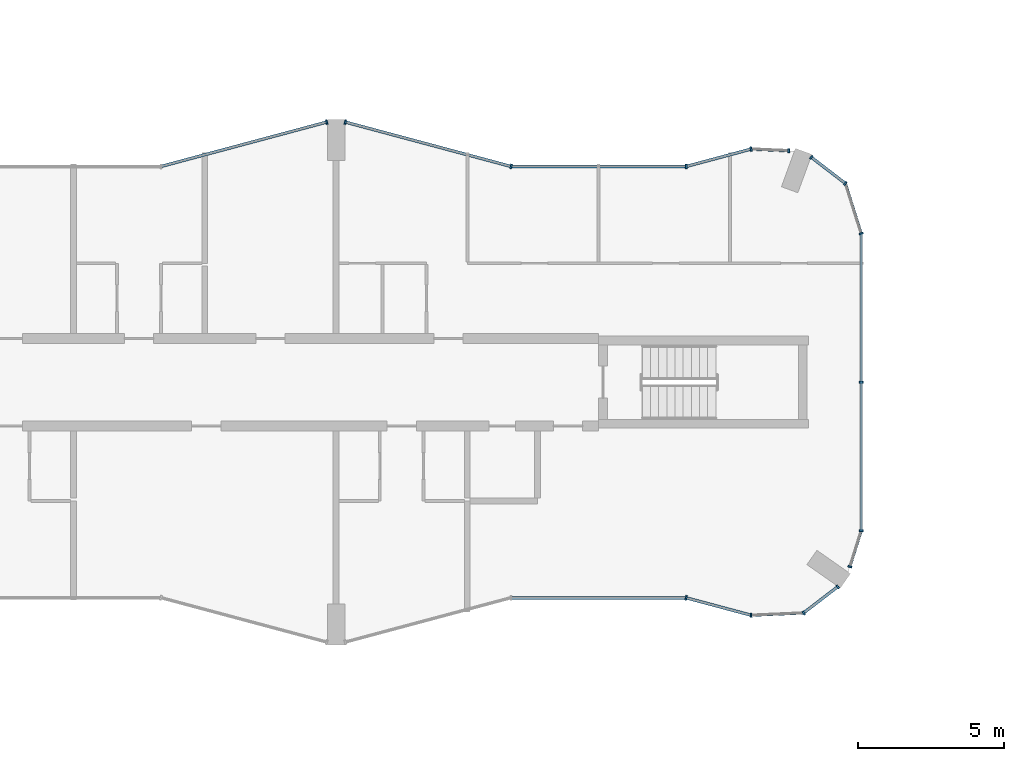
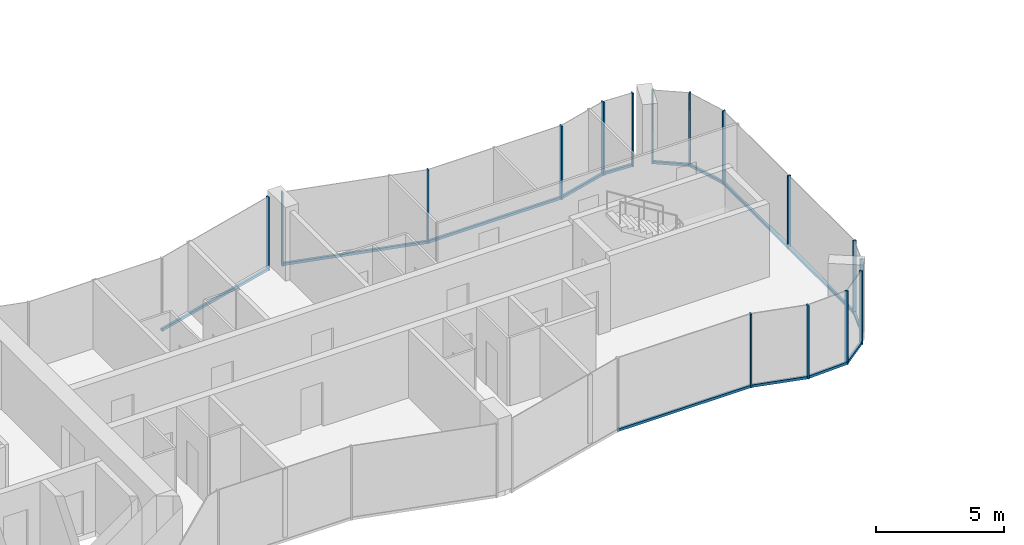
# One storey, part 5 of 22: 29 members, 13 elements without a shape of their own.
"""IFC4 building model written with IfcOpenShell, lengths in metres."""

from ifc_helpers import new_model, si_unit, direction, frame, origin, origin_2d, place, context, subcontext, project, spatial, rectangle, extrude, material, layer, layer_set, material_profile, profile_set, type_object, element, aggregate, save


model = new_model("IFC4")

# Units and contexts
model_context = context("Model", 3, precision=1e-05, world=origin(), true_north=direction((0.0, 1.0)))
body_context = subcontext(model_context, "Body", "Model", "MODEL_VIEW")
ifc_project = project(units=[si_unit("LENGTHUNIT", "METRE"), si_unit("AREAUNIT", "SQUARE_METRE"), si_unit("VOLUMEUNIT", "CUBIC_METRE"), si_unit("PLANEANGLEUNIT", "RADIAN"), si_unit("MASSUNIT", "GRAM", prefix="KILO")], contexts=[model_context])

# Site, building, storey
site_placement = place(None, origin())
site = spatial("IfcSite", under=ifc_project, at=site_placement, CompositionType="ELEMENT")
building_placement = place(site_placement, origin())
building = spatial("IfcBuilding", under=site, at=building_placement, Name="Plateau Cross Towers", CompositionType="ELEMENT")
storey_placement = place(building_placement, frame((0.0, 0.0, 58.300048828125)))
storey = spatial("IfcBuildingStorey", under=building, at=storey_placement, Name="L14", CompositionType="ELEMENT", Elevation=58.300048828125)

# Curtain wall, member
ifc_material_1 = material(Name="Dark low-iron glass", Category="glass")
ifc_layer_1 = layer(ifc_material_1, 0.239990234375)
ifc_layer_set_1 = layer_set([ifc_layer_1], Name="Dark low-iron glass")
curtain_wall_type_1 = type_object("IfcCurtainWallType", Name="Curtain wall flush unitised CW-B", PredefinedType="NOTDEFINED", material=ifc_layer_set_1)
curtain_wall_1_placement = place(storey_placement, origin())
curtain_wall_1 = element("IfcCurtainWall", 1, at=curtain_wall_1_placement, inside=storey, type_object=curtain_wall_type_1, Name="ENV/A/L14/A502_10", PredefinedType="NOTDEFINED")
ifc_material_2 = material(Name="Black anodised aluminium", Category="aluminium")
ifc_material_profile_1 = material_profile(ifc_material_2, rectangle(XDim=0.06005859375, YDim=0.139892578125, at=origin_2d()), Name="MULLION 60x140")
ifc_profile_set_1 = profile_set([ifc_material_profile_1], Name="Black anodised aluminium")
member_type_1 = type_object("IfcMemberType", Name="Mullion 60x140 flush unitised", PredefinedType="MULLION", material=ifc_profile_set_1)
member_1_placement = place(storey_placement, frame((50.223876953125, 1.01123046875, -0.25), z_axis=(0.0, 0.0, 1.0), x_axis=(0.999043701491, 0.043722791671, 0.0)))
member_1 = element("IfcMember", 2, at=member_1_placement, type_object=member_type_1, Name="CW-B mullion 1", PredefinedType="MULLION", context=body_context, shape_type="SweptSolid", body=[
    extrude(rectangle(XDim=0.06005859375, YDim=0.139892578125, at=origin_2d()), origin(), (0.0, 0.0, 1.0), 3.5),
])

# Curtain wall, members
curtain_wall_2_placement = place(storey_placement, origin())
curtain_wall_2 = element("IfcCurtainWall", 3, at=curtain_wall_2_placement, inside=storey, type_object=curtain_wall_type_1, Name="ENV/A/L14/A520_11", PredefinedType="NOTDEFINED")
member_2_placement = place(storey_placement, frame((52.0263671875, 1.090087890625, -0.25), z_axis=(0.0, 0.0, 1.0), x_axis=(0.793315514529, 0.608810721331, 0.0)))
member_2 = element("IfcMember", 4, at=member_2_placement, type_object=member_type_1, Name="CW-B mullion 1", PredefinedType="MULLION", context=body_context, shape_type="SweptSolid", body=[
    extrude(rectangle(XDim=0.06005859375, YDim=0.139892578125, at=origin_2d()), origin(), (0.0, 0.0, 1.0), 3.5),
])
member_3_placement = place(storey_placement, frame((53.193603515625, 1.986083984375, -0.25), z_axis=(0.0, 0.0, 1.0), x_axis=(0.793315514529, 0.608810721331, 0.0)))
member_3 = element("IfcMember", 5, at=member_3_placement, type_object=member_type_1, Name="CW-B mullion 2", PredefinedType="MULLION", context=body_context, shape_type="SweptSolid", body=[
    extrude(rectangle(XDim=0.06005859375, YDim=0.139892578125, at=origin_2d()), origin(), (0.0, 0.0, 1.0), 3.5),
])

# Curtain wall, member
curtain_wall_3_placement = place(storey_placement, origin())
curtain_wall_3 = element("IfcCurtainWall", 6, at=curtain_wall_3_placement, inside=storey, type_object=curtain_wall_type_1, Name="ENV/A/L14/A536_27", PredefinedType="NOTDEFINED")
member_4_placement = place(storey_placement, frame((53.611083984375, 2.67529296875, -0.25), z_axis=(0.0, 0.0, 1.0), x_axis=(0.300686174994, 0.95372313811, 0.0)))
member_4 = element("IfcMember", 7, at=member_4_placement, type_object=member_type_1, Name="CW-B mullion 1", PredefinedType="MULLION", context=body_context, shape_type="SweptSolid", body=[
    extrude(rectangle(XDim=0.06005859375, YDim=0.139892578125, at=origin_2d()), origin(), (0.0, 0.0, 1.0), 3.5),
])

# Curtain wall, members
curtain_wall_4_placement = place(storey_placement, origin())
curtain_wall_4 = element("IfcCurtainWall", 8, at=curtain_wall_4_placement, inside=storey, type_object=curtain_wall_type_1, Name="ENV/A/L14/A540_39", PredefinedType="NOTDEFINED")
member_5_placement = place(storey_placement, frame((54.0, 3.9091796875, -0.25), z_axis=(0.0, 0.0, 1.0), x_axis=(0.0, 1.0, 0.0)))
member_5 = element("IfcMember", 9, at=member_5_placement, type_object=member_type_1, Name="CW-B mullion 1", PredefinedType="MULLION", context=body_context, shape_type="SweptSolid", body=[
    extrude(rectangle(XDim=0.06005859375, YDim=0.139892578125, at=origin_2d()), origin(), (0.0, 0.0, 1.0), 3.5),
])
member_6_placement = place(storey_placement, frame((54.0, 9.0, -0.25), z_axis=(0.0, 0.0, 1.0), x_axis=(0.0, 1.0, 0.0)))
member_6 = element("IfcMember", 10, at=member_6_placement, type_object=member_type_1, Name="CW-B mullion 2", PredefinedType="MULLION", context=body_context, shape_type="SweptSolid", body=[
    extrude(rectangle(XDim=0.06005859375, YDim=0.139892578125, at=origin_2d()), origin(), (0.0, 0.0, 1.0), 3.5),
])

# Curtain wall, member
curtain_wall_5_placement = place(storey_placement, origin())
curtain_wall_5 = element("IfcCurtainWall", 11, at=curtain_wall_5_placement, inside=storey, type_object=curtain_wall_type_1, Name="ENV/A/L14/A540_141", PredefinedType="NOTDEFINED")
member_7_placement = place(storey_placement, frame((54.0, 14.0908203125, -0.25), z_axis=(0.0, 0.0, 1.0), x_axis=(-0.300686174994, 0.95372313811, 0.0)))
member_7 = element("IfcMember", 12, at=member_7_placement, type_object=member_type_1, Name="CW-B mullion 1", PredefinedType="MULLION", context=body_context, shape_type="SweptSolid", body=[
    extrude(rectangle(XDim=0.06005859375, YDim=0.139892578125, at=origin_2d()), origin(), (0.0, 0.0, 1.0), 3.5),
])

# Curtain wall, members
curtain_wall_6_placement = place(storey_placement, origin())
curtain_wall_6 = element("IfcCurtainWall", 13, at=curtain_wall_6_placement, inside=storey, type_object=curtain_wall_type_1, Name="ENV/A/L14/A535_158", PredefinedType="NOTDEFINED")
member_8_placement = place(storey_placement, frame((53.45751953125, 15.8115234375, -0.25), z_axis=(0.0, 0.0, 1.0), x_axis=(-0.793315514529, 0.608810721331, 0.0)))
member_8 = element("IfcMember", 14, at=member_8_placement, type_object=member_type_1, Name="CW-B mullion 1", PredefinedType="MULLION", context=body_context, shape_type="SweptSolid", body=[
    extrude(rectangle(XDim=0.06005859375, YDim=0.139892578125, at=origin_2d()), origin(), (0.0, 0.0, 1.0), 3.5),
])
member_9_placement = place(storey_placement, frame((52.290283203125, 16.707275390625, -0.25), z_axis=(0.0, 0.0, 1.0), x_axis=(-0.793315514529, 0.608810721331, 0.0)))
member_9 = element("IfcMember", 15, at=member_9_placement, type_object=member_type_1, Name="CW-B mullion 2", PredefinedType="MULLION", context=body_context, shape_type="SweptSolid", body=[
    extrude(rectangle(XDim=0.06005859375, YDim=0.139892578125, at=origin_2d()), origin(), (0.0, 0.0, 1.0), 3.5),
])

# Curtain wall, member
curtain_wall_7_placement = place(storey_placement, origin())
curtain_wall_7 = element("IfcCurtainWall", 16, at=curtain_wall_7_placement, inside=storey, type_object=curtain_wall_type_1, Name="ENV/A/L14/A515_169", PredefinedType="NOTDEFINED")
member_10_placement = place(storey_placement, frame((51.516357421875, 16.93212890625, -0.25), z_axis=(0.0, 0.0, 1.0), x_axis=(-0.999043701491, 0.043722791671, 0.0)))
member_10 = element("IfcMember", 17, at=member_10_placement, type_object=member_type_1, Name="CW-B mullion 1", PredefinedType="MULLION", context=body_context, shape_type="SweptSolid", body=[
    extrude(rectangle(XDim=0.06005859375, YDim=0.139892578125, at=origin_2d()), origin(), (0.0, 0.0, 1.0), 3.5),
])

ifc_layer_2 = layer(ifc_material_1, 0.260009765625)
ifc_layer_set_2 = layer_set([ifc_layer_2], Name="Dark low-iron glass")
curtain_wall_type_2 = type_object("IfcCurtainWallType", Name="Curtain wall fluted unitised CW-A", PredefinedType="NOTDEFINED", material=ifc_layer_set_2)
curtain_wall_8_placement = place(storey_placement, origin())
curtain_wall_8 = element("IfcCurtainWall", 18, at=curtain_wall_8_placement, inside=storey, type_object=curtain_wall_type_2, Name="ENV/A/L14/A480_16", PredefinedType="NOTDEFINED")
ifc_material_profile_2 = material_profile(ifc_material_2, rectangle(XDim=0.06005859375, YDim=0.159912109375, at=origin_2d()), Name="MULLION 60x160")
ifc_profile_set_2 = profile_set([ifc_material_profile_2], Name="Black anodised aluminium")
member_type_2 = type_object("IfcMemberType", Name="Mullion 60x160 fluted unitised", PredefinedType="MULLION", material=ifc_profile_set_2)
member_11_placement = place(storey_placement, frame((48.0, 1.60693359375, -0.25), z_axis=(0.0, 0.0, 1.0), x_axis=(0.965957962328, -0.258699081978, 0.0)))
member_11 = element("IfcMember", 19, at=member_11_placement, type_object=member_type_2, Name="CW-A mullion 1", PredefinedType="MULLION", context=body_context, shape_type="SweptSolid", body=[
    extrude(rectangle(XDim=0.06005859375, YDim=0.159912109375, at=origin_2d()), origin(), (0.0, 0.0, 1.0), 3.5),
])

curtain_wall_9_placement = place(storey_placement, origin())
curtain_wall_9 = element("IfcCurtainWall", 20, at=curtain_wall_9_placement, inside=storey, type_object=curtain_wall_type_2, Name="ENV/A/L14/A502_170", PredefinedType="NOTDEFINED")
member_12_placement = place(storey_placement, frame((50.223876953125, 16.98876953125, -0.25), z_axis=(0.0, 0.0, 1.0), x_axis=(-0.965957962328, -0.258699081978, 0.0)))
member_12 = element("IfcMember", 21, at=member_12_placement, type_object=member_type_2, Name="CW-A mullion 1", PredefinedType="MULLION", context=body_context, shape_type="SweptSolid", body=[
    extrude(rectangle(XDim=0.06005859375, YDim=0.159912109375, at=origin_2d()), origin(), (0.0, 0.0, 1.0), 3.5),
])

curtain_wall_10_placement = place(storey_placement, origin())
curtain_wall_10 = element("IfcCurtainWall", 22, at=curtain_wall_10_placement, inside=storey, type_object=curtain_wall_type_2, Name="ENV/A/L14/A480_164", PredefinedType="NOTDEFINED")
member_13_placement = place(storey_placement, frame((48.0, 16.39306640625, -0.25), z_axis=(0.0, 0.0, 1.0), x_axis=(-1.0, 0.0, 0.0)))
member_13 = element("IfcMember", 23, at=member_13_placement, type_object=member_type_2, Name="CW-A mullion 1", PredefinedType="MULLION", context=body_context, shape_type="SweptSolid", body=[
    extrude(rectangle(XDim=0.06005859375, YDim=0.159912109375, at=origin_2d()), origin(), (0.0, 0.0, 1.0), 3.5),
])

# Curtain wall, members
curtain_wall_11_placement = place(storey_placement, origin())
curtain_wall_11 = element("IfcCurtainWall", 24, at=curtain_wall_11_placement, inside=storey, type_object=curtain_wall_type_2, Name="ENV/A/L14/A420_164", PredefinedType="NOTDEFINED")
member_14_placement = place(storey_placement, frame((42.0, 16.39306640625, -0.25), z_axis=(0.0, 0.0, 1.0), x_axis=(-0.965957983404, 0.258699003279, 0.0)))
member_14 = element("IfcMember", 25, at=member_14_placement, type_object=member_type_2, Name="CW-A mullion 1", PredefinedType="MULLION", context=body_context, shape_type="SweptSolid", body=[
    extrude(rectangle(XDim=0.06005859375, YDim=0.159912109375, at=origin_2d()), origin(), (0.0, 0.0, 1.0), 3.5),
])
member_15_placement = place(storey_placement, frame((36.31787109375, 17.914794921875, -0.25), z_axis=(0.0, 0.0, 1.0), x_axis=(-0.965957983404, 0.258699003279, 0.0)))
member_15 = element("IfcMember", 26, at=member_15_placement, type_object=member_type_2, Name="CW-A mullion 2", PredefinedType="MULLION", context=body_context, shape_type="SweptSolid", body=[
    extrude(rectangle(XDim=0.06005859375, YDim=0.159912109375, at=origin_2d()), origin(), (0.0, 0.0, 1.0), 3.5),
])

# Curtain wall, member
curtain_wall_12_placement = place(storey_placement, origin())
curtain_wall_12 = element("IfcCurtainWall", 27, at=curtain_wall_12_placement, inside=storey, type_object=curtain_wall_type_2, Name="ENV/A/L14/A357_179", PredefinedType="NOTDEFINED")
member_16_placement = place(storey_placement, frame((35.68212890625, 17.914794921875, -0.25), z_axis=(0.0, 0.0, 1.0), x_axis=(-0.965957983404, -0.258699003279, 0.0)))
member_16 = element("IfcMember", 28, at=member_16_placement, type_object=member_type_2, Name="CW-A mullion 1", PredefinedType="MULLION", context=body_context, shape_type="SweptSolid", body=[
    extrude(rectangle(XDim=0.06005859375, YDim=0.159912109375, at=origin_2d()), origin(), (0.0, 0.0, 1.0), 3.5),
])

# Member
ifc_material_profile_3 = material_profile(ifc_material_2, rectangle(XDim=0.10009765625, YDim=0.1201171875, at=origin_2d()), Name="TRANSOM 100x120")
ifc_profile_set_3 = profile_set([ifc_material_profile_3], Name="Black anodised aluminium")
member_type_3 = type_object("IfcMemberType", Name="Transom 100x120 flush unitised", PredefinedType="USERDEFINED", material=ifc_profile_set_3)
member_17_placement = place(storey_placement, frame((50.223876953125, 1.01123046875, -0.18994140625), z_axis=(0.999044377355, 0.043707345779, 0.0), x_axis=(-0.043707345779, 0.999044377355, 0.0)))
member_17 = element("IfcMember", 29, at=member_17_placement, type_object=member_type_3, Name="CW-B transom", ObjectType="TRANSOM", PredefinedType="USERDEFINED", context=body_context, shape_type="SweptSolid", body=[
    extrude(rectangle(XDim=0.10009765625, YDim=0.1201171875, at=origin_2d()), origin(), (0.0, 0.0, 1.0), 1.80419921875),
])

aggregate(curtain_wall_1, [member_1, member_17])

member_18_placement = place(storey_placement, frame((52.0263671875, 1.090087890625, -0.18994140625), z_axis=(0.793240368515, 0.608908628415, 0.0), x_axis=(-0.608908628415, 0.793240368515, 0.0)))
member_18 = element("IfcMember", 30, at=member_18_placement, type_object=member_type_3, Name="CW-B transom", ObjectType="TRANSOM", PredefinedType="USERDEFINED", context=body_context, shape_type="SweptSolid", body=[
    extrude(rectangle(XDim=0.10009765625, YDim=0.1201171875, at=origin_2d()), origin(), (0.0, 0.0, 1.0), 1.471435546875),
])

aggregate(curtain_wall_2, [member_2, member_3, member_18])

member_19_placement = place(storey_placement, frame((53.611083984375, 2.67529296875, -0.18994140625), z_axis=(0.300616528216, 0.953745093284, 0.0), x_axis=(-0.953745093284, 0.300616528216, 0.0)))
member_19 = element("IfcMember", 31, at=member_19_placement, type_object=member_type_3, Name="CW-B transom", ObjectType="TRANSOM", PredefinedType="USERDEFINED", context=body_context, shape_type="SweptSolid", body=[
    extrude(rectangle(XDim=0.10009765625, YDim=0.1201171875, at=origin_2d()), origin(), (0.0, 0.0, 1.0), 1.293701171875),
])

aggregate(curtain_wall_3, [member_4, member_19])

member_20_placement = place(storey_placement, frame((54.0, 3.9091796875, -0.18994140625), z_axis=(0.0, 1.0, 0.0), x_axis=(-1.0, 0.0, 0.0)))
member_20 = element("IfcMember", 32, at=member_20_placement, type_object=member_type_3, Name="CW-B transom", ObjectType="TRANSOM", PredefinedType="USERDEFINED", context=body_context, shape_type="SweptSolid", body=[
    extrude(rectangle(XDim=0.10009765625, YDim=0.1201171875, at=origin_2d()), origin(), (0.0, 0.0, 1.0), 10.181640625),
])

aggregate(curtain_wall_4, [member_5, member_6, member_20])

member_21_placement = place(storey_placement, frame((54.0, 14.0908203125, -0.18994140625), z_axis=(-0.30067799945, 0.953725715626, 0.0), x_axis=(-0.953725715626, -0.30067799945, 0.0)))
member_21 = element("IfcMember", 33, at=member_21_placement, type_object=member_type_3, Name="CW-B transom", ObjectType="TRANSOM", PredefinedType="USERDEFINED", context=body_context, shape_type="SweptSolid", body=[
    extrude(rectangle(XDim=0.10009765625, YDim=0.1201171875, at=origin_2d()), origin(), (0.0, 0.0, 1.0), 1.80419921875),
])

aggregate(curtain_wall_5, [member_7, member_21])

member_22_placement = place(storey_placement, frame((53.45751953125, 15.8115234375, -0.18994140625), z_axis=(-0.793320508571, 0.608804213751, 0.0), x_axis=(-0.608804213751, -0.793320508571, 0.0)))
member_22 = element("IfcMember", 34, at=member_22_placement, type_object=member_type_3, Name="CW-B transom", ObjectType="TRANSOM", PredefinedType="USERDEFINED", context=body_context, shape_type="SweptSolid", body=[
    extrude(rectangle(XDim=0.10009765625, YDim=0.1201171875, at=origin_2d()), origin(), (0.0, 0.0, 1.0), 1.471435546875),
])

aggregate(curtain_wall_6, [member_8, member_9, member_22])

member_23_placement = place(storey_placement, frame((51.516357421875, 16.93212890625, -0.18994140625), z_axis=(-0.999041144614, 0.043781175963, 0.0), x_axis=(-0.043781175963, -0.999041144614, 0.0)))
member_23 = element("IfcMember", 35, at=member_23_placement, type_object=member_type_3, Name="CW-B transom", ObjectType="TRANSOM", PredefinedType="USERDEFINED", context=body_context, shape_type="SweptSolid", body=[
    extrude(rectangle(XDim=0.10009765625, YDim=0.1201171875, at=origin_2d()), origin(), (0.0, 0.0, 1.0), 1.293701171875),
])

aggregate(curtain_wall_7, [member_10, member_23])

# Curtain wall, member
curtain_wall_13_placement = place(storey_placement, origin())
curtain_wall_13 = element("IfcCurtainWall", 36, at=curtain_wall_13_placement, inside=storey, type_object=curtain_wall_type_2, Name="ENV/A/L14/A420_16", PredefinedType="NOTDEFINED")
ifc_material_profile_4 = material_profile(ifc_material_2, rectangle(XDim=0.10009765625, YDim=0.1201171875, at=origin_2d()), Name="TRANSOM 100x120")
ifc_profile_set_4 = profile_set([ifc_material_profile_4], Name="Black anodised aluminium")
member_type_4 = type_object("IfcMemberType", Name="Transom 100x120 fluted unitised", PredefinedType="USERDEFINED", material=ifc_profile_set_4)
member_24_placement = place(storey_placement, frame((42.0, 1.60693359375, -0.18994140625), z_axis=(1.0, 0.0, 0.0), x_axis=(0.0, 1.0, 0.0)))
member_24 = element("IfcMember", 37, at=member_24_placement, type_object=member_type_4, Name="CW-A transom", ObjectType="TRANSOM", PredefinedType="USERDEFINED", context=body_context, shape_type="SweptSolid", body=[
    extrude(rectangle(XDim=0.10009765625, YDim=0.1201171875, at=origin_2d()), origin(), (0.0, 0.0, 1.0), 6.0),
])
aggregate(curtain_wall_13, [member_24])

# Member
member_25_placement = place(storey_placement, frame((48.0, 1.60693359375, -0.18994140625), z_axis=(0.965945685136, -0.258744919501, 0.0), x_axis=(0.258744919501, 0.965945685136, 0.0)))
member_25 = element("IfcMember", 38, at=member_25_placement, type_object=member_type_4, Name="CW-A transom", ObjectType="TRANSOM", PredefinedType="USERDEFINED", context=body_context, shape_type="SweptSolid", body=[
    extrude(rectangle(XDim=0.10009765625, YDim=0.1201171875, at=origin_2d()), origin(), (0.0, 0.0, 1.0), 2.30224609375),
])

aggregate(curtain_wall_8, [member_11, member_25])

member_26_placement = place(storey_placement, frame((50.223876953125, 16.98876953125, -0.18994140625), z_axis=(-0.965945685136, -0.258744919501, 0.0), x_axis=(0.258744919501, -0.965945685136, 0.0)))
member_26 = element("IfcMember", 39, at=member_26_placement, type_object=member_type_4, Name="CW-A transom", ObjectType="TRANSOM", PredefinedType="USERDEFINED", context=body_context, shape_type="SweptSolid", body=[
    extrude(rectangle(XDim=0.10009765625, YDim=0.1201171875, at=origin_2d()), origin(), (0.0, 0.0, 1.0), 2.30224609375),
])

aggregate(curtain_wall_9, [member_12, member_26])

member_27_placement = place(storey_placement, frame((48.0, 16.39306640625, -0.18994140625), z_axis=(-1.0, 0.0, 0.0), x_axis=(0.0, -1.0, 0.0)))
member_27 = element("IfcMember", 40, at=member_27_placement, type_object=member_type_4, Name="CW-A transom", ObjectType="TRANSOM", PredefinedType="USERDEFINED", context=body_context, shape_type="SweptSolid", body=[
    extrude(rectangle(XDim=0.10009765625, YDim=0.1201171875, at=origin_2d()), origin(), (0.0, 0.0, 1.0), 6.0),
])

aggregate(curtain_wall_10, [member_13, member_27])

member_28_placement = place(storey_placement, frame((42.0, 16.39306640625, -0.18994140625), z_axis=(-0.965959534794, 0.258693210465, 0.0), x_axis=(-0.258693210465, -0.965959534794, 0.0)))
member_28 = element("IfcMember", 41, at=member_28_placement, type_object=member_type_4, Name="CW-A transom", ObjectType="TRANSOM", PredefinedType="USERDEFINED", context=body_context, shape_type="SweptSolid", body=[
    extrude(rectangle(XDim=0.10009765625, YDim=0.1201171875, at=origin_2d()), origin(), (0.0, 0.0, 1.0), 5.88232421875),
])

aggregate(curtain_wall_11, [member_14, member_15, member_28])

member_29_placement = place(storey_placement, frame((35.68212890625, 17.914794921875, -0.18994140625), z_axis=(-0.965959534794, -0.258693210465, 0.0), x_axis=(0.258693210465, -0.965959534794, 0.0)))
member_29 = element("IfcMember", 42, at=member_29_placement, type_object=member_type_4, Name="CW-A transom", ObjectType="TRANSOM", PredefinedType="USERDEFINED", context=body_context, shape_type="SweptSolid", body=[
    extrude(rectangle(XDim=0.10009765625, YDim=0.1201171875, at=origin_2d()), origin(), (0.0, 0.0, 1.0), 5.88232421875),
])

aggregate(curtain_wall_12, [member_16, member_29])

save(model, "model.ifc")
